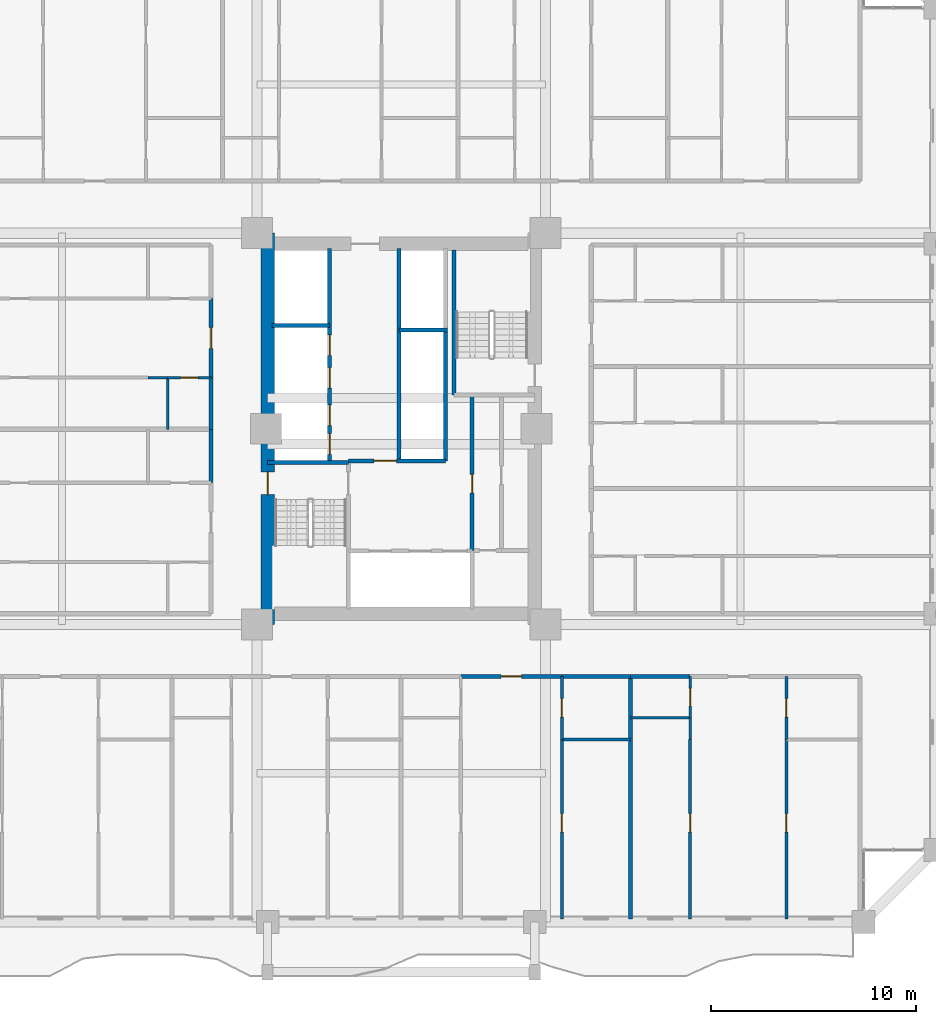
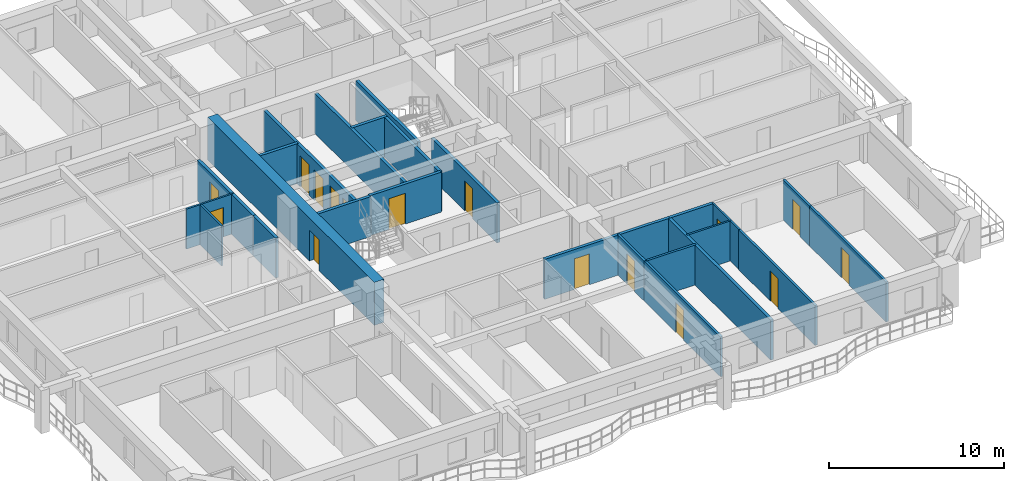
# One storey, part 16 of 27: 29 walls, 16 doors, 16 openings.
"""IFC4 building model written with IfcOpenShell, lengths in metres."""

from ifc_helpers import new_model, si_unit, direction, frame, frame_2d, origin, place, context, subcontext, project, spatial, rectangle, extrude, source, transform, mapped, material, layer, layer_set, type_object, element, fill, save


model = new_model("IFC4")

# Units and contexts
model_context = context("Model", 3, precision=1e-05, world=origin(), true_north=direction((0.0, 1.0)))
body_context = subcontext(model_context, "Body", "Model", "MODEL_VIEW")
ifc_project = project(units=[si_unit("LENGTHUNIT", "METRE"), si_unit("AREAUNIT", "SQUARE_METRE"), si_unit("VOLUMEUNIT", "CUBIC_METRE"), si_unit("PLANEANGLEUNIT", "RADIAN"), si_unit("MASSUNIT", "GRAM", prefix="KILO")], contexts=[model_context])

# Site, building, storey
site_placement = place(None, origin())
site = spatial("IfcSite", under=ifc_project, at=site_placement, CompositionType="ELEMENT")
building_placement = place(site_placement, origin())
building = spatial("IfcBuilding", under=site, at=building_placement, Name="Saelheon Loggia Tower", CompositionType="ELEMENT")
storey_placement = place(building_placement, frame((0.0, 0.0, 43.39990234375)))
storey = spatial("IfcBuildingStorey", under=building, at=storey_placement, Name="L13", CompositionType="ELEMENT", Elevation=43.39990234375)

# Wall, opening, door
ifc_material_1 = material(Name="Concrete C60/75", Category="concrete")
ifc_layer_1 = layer(ifc_material_1, 0.64990234375)
ifc_layer_set_1 = layer_set([ifc_layer_1], Name="Concrete C60/75")
wall_type_1 = type_object("IfcWallType", Name="Wall_CoreShear_650", PredefinedType="SHEAR", material=ifc_layer_set_1)
wall_1_placement = place(storey_placement, frame((31.5, 17.47998046875, 0.0), z_axis=(0.0, 0.0, 1.0), x_axis=(0.0, 1.0, 0.0)))
wall_1 = element("IfcWall", 1, at=wall_1_placement, inside=storey, type_object=wall_type_1, Name="L13 Core Shear Wall West", PredefinedType="SHEAR", context=body_context, shape_type="SweptSolid", body=[
    extrude(rectangle(XDim=19.0400390625, YDim=0.64990234375, at=frame_2d((9.52001953125, 0.0))), origin(), (0.0, 0.0, 1.0), 3.0),
])
opening_1_placement = place(wall_1_placement, frame((6.320068359375, 0.0, 0.0)))
opening_1 = element("IfcOpeningElement", 2, at=opening_1_placement, cuts=wall_1, Name="Opening D-FD2", PredefinedType="OPENING", context=body_context, shape_type="SweptSolid", body=[
    extrude(rectangle(XDim=1.10009765625, YDim=2.14990234375, at=frame_2d((0.550048828125, 1.074951171875))), frame((0.0, 0.3369140625, 0.0), z_axis=(0.0, -1.0, 0.0), x_axis=(1.0, 0.0, 0.0)), (0.0, 0.0, 1.0), 0.673828125),
])
ifc_material_2 = material(Name="Galvanised Steel Fire Door", Category="steel")
door_type_1 = type_object("IfcDoorType", Name="Door_Fire_FD60_1100", OperationType="NOTDEFINED", PredefinedType="DOOR", material=ifc_material_2)
shared_shape_1 = source(origin(), body_context, "Body", "SweptSolid", [
    extrude(rectangle(XDim=1.10009765625, YDim=2.14990234375, at=frame_2d((0.550048828125, 1.074951171875))), frame((0.0, 0.02490234375, 0.0), z_axis=(0.0, -1.0, 0.0), x_axis=(1.0, 0.0, 0.0)), (0.0, 0.0, 1.0), 0.050048828125),
])
door_1_placement = place(opening_1_placement, origin())
door_1 = element("IfcDoor", 3, at=door_1_placement, inside=storey, type_object=door_type_1, Name="L13 Stair ST1 Corridor Door", OperationType="SINGLE_SWING_LEFT", OverallHeight=2.14990234375, OverallWidth=1.10009765625, PredefinedType="DOOR", context=body_context, shape_type="MappedRepresentation", body=[
    mapped(shared_shape_1, transform((0.0, 0.0, 0.0), scale=1.0)),
])
fill(opening_1, door_1)

# Wall
ifc_material_3 = material(Name="Lightweight Autoclaved Aerated Concrete Block and Acoustic Gypsum", Category="concrete")
ifc_layer_2 = layer(ifc_material_3, 0.14990234375)
ifc_layer_set_2 = layer_set([ifc_layer_2], Name="Lightweight Autoclaved Aerated Concrete Block and Acoustic Gypsum")
wall_type_2 = type_object("IfcWallType", Name="Wall_Part_150", PredefinedType="PARTITIONING", material=ifc_layer_set_2)
wall_2_placement = place(storey_placement, frame((45.820068359375, 11.8798828125, 0.0), z_axis=(0.0, 0.0, 1.0), x_axis=(1.0, 0.0, 0.0)))
element("IfcWall", 4, at=wall_2_placement, inside=storey, type_object=wall_type_2, Name="L13 S Partition V29", PredefinedType="PARTITIONING", context=body_context, shape_type="SweptSolid", body=[
    extrude(rectangle(XDim=3.33984375, YDim=0.14990234375, at=frame_2d((1.669921875, 0.0))), origin(), (0.0, 0.0, 1.0), 2.7900390625),
])

# Wall, opening, door
wall_3_placement = place(storey_placement, frame((45.820068359375, 14.949951171875, 0.0), z_axis=(0.0, 0.0, 1.0), x_axis=(0.0, -1.0, 0.0)))
wall_3 = element("IfcWall", 5, at=wall_3_placement, inside=storey, type_object=wall_type_2, Name="L13 S Partition U33", PredefinedType="PARTITIONING", context=body_context, shape_type="SweptSolid", body=[
    extrude(rectangle(XDim=3.070068359375, YDim=0.14990234375, at=frame_2d((1.53515625, 0.0))), origin(), (0.0, 0.0, 1.0), 2.7900390625),
])
opening_2_placement = place(wall_3_placement, frame((1.0849609375, 0.0, 0.0)))
opening_2 = element("IfcOpeningElement", 6, at=opening_2_placement, cuts=wall_3, Name="Opening D-IN2", PredefinedType="OPENING", context=body_context, shape_type="SweptSolid", body=[
    extrude(rectangle(XDim=0.89990234375, YDim=2.10009765625, at=frame_2d((0.449951171875, 1.050048828125))), frame((0.0, 0.0869140625, 0.0), z_axis=(0.0, -1.0, 0.0), x_axis=(1.0, 0.0, 0.0)), (0.0, 0.0, 1.0), 0.173828125),
])
ifc_material_4 = material(Name="Engineered Oak Flush Door", Category="timber")
door_type_2 = type_object("IfcDoorType", Name="Door_Int_900", OperationType="NOTDEFINED", PredefinedType="DOOR", material=ifc_material_4)
shared_shape_2 = source(origin(), body_context, "Body", "SweptSolid", [
    extrude(rectangle(XDim=0.89990234375, YDim=2.10009765625, at=frame_2d((0.449951171875, 1.050048828125))), frame((0.0, 0.02490234375, 0.0), z_axis=(0.0, -1.0, 0.0), x_axis=(1.0, 0.0, 0.0)), (0.0, 0.0, 1.0), 0.050048828125),
])
door_2_placement = place(opening_2_placement, origin())
door_2 = element("IfcDoor", 7, at=door_2_placement, inside=storey, type_object=door_type_2, Name="Unit U03 Kitchen Door", OperationType="SINGLE_SWING_RIGHT", OverallHeight=2.10009765625, OverallWidth=0.89990234375, PredefinedType="DOOR", context=body_context, shape_type="MappedRepresentation", body=[
    mapped(shared_shape_2, transform((0.0, 0.0, 0.0), scale=1.0)),
])
fill(opening_2, door_2)

wall_4_placement = place(storey_placement, frame((45.820068359375, 11.8798828125, 0.0), z_axis=(0.0, 0.0, 1.0), x_axis=(0.0, -1.0, 0.0)))
wall_4 = element("IfcWall", 8, at=wall_4_placement, inside=storey, type_object=wall_type_2, Name="L13 S Partition U34", PredefinedType="PARTITIONING", context=body_context, shape_type="SweptSolid", body=[
    extrude(rectangle(XDim=8.72998046875, YDim=0.14990234375, at=frame_2d((4.364990234375, 0.0))), origin(), (0.0, 0.0, 1.0), 2.7900390625),
])
opening_3_placement = place(wall_4_placement, frame((3.608642578125, 0.0, 0.0)))
opening_3 = element("IfcOpeningElement", 9, at=opening_3_placement, cuts=wall_4, Name="Opening D-IN2", PredefinedType="OPENING", context=body_context, shape_type="SweptSolid", body=[
    extrude(rectangle(XDim=0.89990234375, YDim=2.10009765625, at=frame_2d((0.449951171875, 1.050048828125))), frame((0.0, 0.0869140625, 0.0), z_axis=(0.0, -1.0, 0.0), x_axis=(1.0, 0.0, 0.0)), (0.0, 0.0, 1.0), 0.173828125),
])
door_3_placement = place(opening_3_placement, origin())
door_3 = element("IfcDoor", 10, at=door_3_placement, inside=storey, type_object=door_type_2, Name="Unit U03 Bedroom 1 Door", OperationType="SINGLE_SWING_LEFT", OverallHeight=2.10009765625, OverallWidth=0.89990234375, PredefinedType="DOOR", context=body_context, shape_type="MappedRepresentation", body=[
    mapped(shared_shape_2, transform((0.0, 0.0, 0.0), scale=1.0)),
])
fill(opening_3, door_3)

wall_5_placement = place(storey_placement, frame((52.0615234375, 11.8798828125, 0.0), z_axis=(0.0, 0.0, 1.0), x_axis=(0.0, -1.0, 0.0)))
wall_5 = element("IfcWall", 11, at=wall_5_placement, inside=storey, type_object=wall_type_2, Name="L13 S Partition U43", PredefinedType="PARTITIONING", context=body_context, shape_type="SweptSolid", body=[
    extrude(rectangle(XDim=8.72998046875, YDim=0.14990234375, at=frame_2d((4.364990234375, 0.0))), origin(), (0.0, 0.0, 1.0), 2.7900390625),
])
opening_4_placement = place(wall_5_placement, frame((3.608642578125, 0.0, 0.0)))
opening_4 = element("IfcOpeningElement", 12, at=opening_4_placement, cuts=wall_5, Name="Opening D-IN2", PredefinedType="OPENING", context=body_context, shape_type="SweptSolid", body=[
    extrude(rectangle(XDim=0.89990234375, YDim=2.10009765625, at=frame_2d((0.449951171875, 1.050048828125))), frame((0.0, 0.0869140625, 0.0), z_axis=(0.0, -1.0, 0.0), x_axis=(1.0, 0.0, 0.0)), (0.0, 0.0, 1.0), 0.173828125),
])
door_4_placement = place(opening_4_placement, origin())
door_4 = element("IfcDoor", 13, at=door_4_placement, inside=storey, type_object=door_type_2, Name="Unit U04 Bedroom 2 Door", OperationType="SINGLE_SWING_RIGHT", OverallHeight=2.10009765625, OverallWidth=0.89990234375, PredefinedType="DOOR", context=body_context, shape_type="MappedRepresentation", body=[
    mapped(shared_shape_2, transform((0.0, 0.0, 0.0), scale=1.0)),
])
fill(opening_4, door_4)

wall_6_placement = place(storey_placement, frame((56.748779296875, 14.949951171875, 0.0), z_axis=(0.0, 0.0, 1.0), x_axis=(0.0, -1.0, 0.0)))
wall_6 = element("IfcWall", 14, at=wall_6_placement, inside=storey, type_object=wall_type_2, Name="L13 S Partition U44", PredefinedType="PARTITIONING", context=body_context, shape_type="SweptSolid", body=[
    extrude(rectangle(XDim=3.070068359375, YDim=0.14990234375, at=frame_2d((1.53515625, 0.0))), origin(), (0.0, 0.0, 1.0), 2.7900390625),
])
opening_5_placement = place(wall_6_placement, frame((1.0849609375, 0.0, 0.0)))
opening_5 = element("IfcOpeningElement", 15, at=opening_5_placement, cuts=wall_6, Name="Opening D-IN2", PredefinedType="OPENING", context=body_context, shape_type="SweptSolid", body=[
    extrude(rectangle(XDim=0.89990234375, YDim=2.10009765625, at=frame_2d((0.449951171875, 1.050048828125))), frame((0.0, 0.0869140625, 0.0), z_axis=(0.0, -1.0, 0.0), x_axis=(1.0, 0.0, 0.0)), (0.0, 0.0, 1.0), 0.173828125),
])
door_5_placement = place(opening_5_placement, origin())
door_5 = element("IfcDoor", 16, at=door_5_placement, inside=storey, type_object=door_type_2, Name="Unit U04 Kitchen Door", OperationType="SINGLE_SWING_LEFT", OverallHeight=2.10009765625, OverallWidth=0.89990234375, PredefinedType="DOOR", context=body_context, shape_type="MappedRepresentation", body=[
    mapped(shared_shape_2, transform((0.0, 0.0, 0.0), scale=1.0)),
])
fill(opening_5, door_5)

wall_7_placement = place(storey_placement, frame((56.748779296875, 11.8798828125, 0.0), z_axis=(0.0, 0.0, 1.0), x_axis=(0.0, -1.0, 0.0)))
wall_7 = element("IfcWall", 17, at=wall_7_placement, inside=storey, type_object=wall_type_2, Name="L13 S Partition U45", PredefinedType="PARTITIONING", context=body_context, shape_type="SweptSolid", body=[
    extrude(rectangle(XDim=8.72998046875, YDim=0.14990234375, at=frame_2d((4.364990234375, 0.0))), origin(), (0.0, 0.0, 1.0), 2.7900390625),
])
opening_6_placement = place(wall_7_placement, frame((3.608642578125, 0.0, 0.0)))
opening_6 = element("IfcOpeningElement", 18, at=opening_6_placement, cuts=wall_7, Name="Opening D-IN2", PredefinedType="OPENING", context=body_context, shape_type="SweptSolid", body=[
    extrude(rectangle(XDim=0.89990234375, YDim=2.10009765625, at=frame_2d((0.449951171875, 1.050048828125))), frame((0.0, 0.0869140625, 0.0), z_axis=(0.0, -1.0, 0.0), x_axis=(1.0, 0.0, 0.0)), (0.0, 0.0, 1.0), 0.173828125),
])
door_6_placement = place(opening_6_placement, origin())
door_6 = element("IfcDoor", 19, at=door_6_placement, inside=storey, type_object=door_type_2, Name="Unit U04 Bedroom 1 Door", OperationType="SINGLE_SWING_RIGHT", OverallHeight=2.10009765625, OverallWidth=0.89990234375, PredefinedType="DOOR", context=body_context, shape_type="MappedRepresentation", body=[
    mapped(shared_shape_2, transform((0.0, 0.0, 0.0), scale=1.0)),
])
fill(opening_6, door_6)

ifc_material_5 = material(Name="Double Acoustic Stud and Fireboard Partition", Category="gypsum")
ifc_layer_3 = layer(ifc_material_5, 0.199951171875)
ifc_layer_set_3 = layer_set([ifc_layer_3], Name="Double Acoustic Stud and Fireboard Partition")
wall_type_3 = type_object("IfcWallType", Name="Wall_Party_200", PredefinedType="PARTITIONING", material=ifc_layer_set_3)
wall_8_placement = place(storey_placement, frame((40.901611328125, 14.949951171875, 0.0), z_axis=(0.0, 0.0, 1.0), x_axis=(1.0, 0.0, 0.0)))
wall_8 = element("IfcWall", 20, at=wall_8_placement, inside=storey, type_object=wall_type_3, Name="L13 S Partition V26", PredefinedType="PARTITIONING", context=body_context, shape_type="SweptSolid", body=[
    extrude(rectangle(XDim=4.91845703125, YDim=0.199951171875, at=frame_2d((2.459228515625, 0.0))), origin(), (0.0, 0.0, 1.0), 2.7900390625),
])
opening_7_placement = place(wall_8_placement, frame((1.959228515625, 0.0, 0.0)))
opening_7 = element("IfcOpeningElement", 21, at=opening_7_placement, cuts=wall_8, Name="Opening D-FD1", PredefinedType="OPENING", context=body_context, shape_type="SweptSolid", body=[
    extrude(rectangle(XDim=1.0, YDim=2.14990234375, at=frame_2d((0.5, 1.074951171875))), frame((0.0, 0.112060546875, 0.0), z_axis=(0.0, -1.0, 0.0), x_axis=(1.0, 0.0, 0.0)), (0.0, 0.0, 1.0), 0.223876953125),
])
ifc_material_6 = material(Name="Fire-Rated Engineered Timber Entrance Door", Category="wood")
door_type_3 = type_object("IfcDoorType", Name="Door_Flat_FD30S", OperationType="NOTDEFINED", PredefinedType="DOOR", material=ifc_material_6)
shared_shape_3 = source(origin(), body_context, "Body", "SweptSolid", [
    extrude(rectangle(XDim=1.0, YDim=2.14990234375, at=frame_2d((0.5, 1.074951171875))), frame((0.0, 0.02490234375, 0.0), z_axis=(0.0, -1.0, 0.0), x_axis=(1.0, 0.0, 0.0)), (0.0, 0.0, 1.0), 0.050048828125),
])
door_7_placement = place(opening_7_placement, origin())
door_7 = element("IfcDoor", 22, at=door_7_placement, inside=storey, type_object=door_type_3, Name="Unit U03 Entrance Door", OperationType="SINGLE_SWING_LEFT", OverallHeight=2.14990234375, OverallWidth=1.0, PredefinedType="DOOR", context=body_context, shape_type="MappedRepresentation", body=[
    mapped(shared_shape_3, transform((0.0, 0.0, 0.0), scale=1.0)),
])
fill(opening_7, door_7)

# Walls
wall_9_placement = place(storey_placement, frame((45.820068359375, 14.949951171875, 0.0), z_axis=(0.0, 0.0, 1.0), x_axis=(1.0, 0.0, 0.0)))
element("IfcWall", 23, at=wall_9_placement, inside=storey, type_object=wall_type_3, Name="L13 S Partition V27", PredefinedType="PARTITIONING", context=body_context, shape_type="SweptSolid", body=[
    extrude(rectangle(XDim=3.33984375, YDim=0.199951171875, at=frame_2d((1.669921875, 0.0))), origin(), (0.0, 0.0, 1.0), 2.7900390625),
])
wall_10_placement = place(storey_placement, frame((49.159912109375, 14.949951171875, 0.0), z_axis=(0.0, 0.0, 1.0), x_axis=(0.0, -1.0, 0.0)))
element("IfcWall", 24, at=wall_10_placement, inside=storey, type_object=wall_type_3, Name="L13 S Partition U35", PredefinedType="PARTITIONING", context=body_context, shape_type="SweptSolid", body=[
    extrude(rectangle(XDim=11.800048828125, YDim=0.199951171875, at=frame_2d((5.89990234375, 0.0))), origin(), (0.0, 0.0, 1.0), 2.7900390625),
])
wall_11_placement = place(storey_placement, frame((49.159912109375, 14.949951171875, 0.0), z_axis=(0.0, 0.0, 1.0), x_axis=(1.0, 0.0, 0.0)))
element("IfcWall", 25, at=wall_11_placement, inside=storey, type_object=wall_type_3, Name="L13 S Partition V36", PredefinedType="PARTITIONING", context=body_context, shape_type="SweptSolid", body=[
    extrude(rectangle(XDim=2.901611328125, YDim=0.199951171875, at=frame_2d((1.45068359375, 0.0))), origin(), (0.0, 0.0, 1.0), 2.7900390625),
])
wall_12_placement = place(storey_placement, frame((28.75, 24.375, 0.0), z_axis=(0.0, 0.0, 1.0), x_axis=(0.0, 1.0, 0.0)))
element("IfcWall", 26, at=wall_12_placement, inside=storey, type_object=wall_type_3, Name="L13 W Partition V05", PredefinedType="PARTITIONING", context=body_context, shape_type="SweptSolid", body=[
    extrude(rectangle(XDim=2.60009765625, YDim=0.199951171875, at=frame_2d((1.300048828125, 0.0))), origin(), (0.0, 0.0, 1.0), 2.7900390625),
])
wall_13_placement = place(storey_placement, frame((28.75, 26.97509765625, 0.0), z_axis=(0.0, 0.0, 1.0), x_axis=(0.0, 1.0, 0.0)))
element("IfcWall", 27, at=wall_13_placement, inside=storey, type_object=wall_type_3, Name="L13 W Partition V14", PredefinedType="PARTITIONING", context=body_context, shape_type="SweptSolid", body=[
    extrude(rectangle(XDim=2.512939453125, YDim=0.199951171875, at=frame_2d((1.25634765625, 0.0))), origin(), (0.0, 0.0, 1.0), 2.7900390625),
])

# Wall, opening, door
wall_14_placement = place(storey_placement, frame((28.75, 29.488037109375, 0.0), z_axis=(0.0, 0.0, 1.0), x_axis=(0.0, 1.0, 0.0)))
wall_14 = element("IfcWall", 28, at=wall_14_placement, inside=storey, type_object=wall_type_3, Name="L13 W Partition V15", PredefinedType="PARTITIONING", context=body_context, shape_type="SweptSolid", body=[
    extrude(rectangle(XDim=3.862060546875, YDim=0.199951171875, at=frame_2d((1.93115234375, 0.0))), origin(), (0.0, 0.0, 1.0), 2.7900390625),
])
opening_8_placement = place(wall_14_placement, frame((1.430908203125, 0.0, 0.0)))
opening_8 = element("IfcOpeningElement", 29, at=opening_8_placement, cuts=wall_14, Name="Opening D-FD1", PredefinedType="OPENING", context=body_context, shape_type="SweptSolid", body=[
    extrude(rectangle(XDim=1.0, YDim=2.14990234375, at=frame_2d((0.5, 1.074951171875))), frame((0.0, 0.112060546875, 0.0), z_axis=(0.0, -1.0, 0.0), x_axis=(1.0, 0.0, 0.0)), (0.0, 0.0, 1.0), 0.223876953125),
])
door_8_placement = place(opening_8_placement, origin())
door_8 = element("IfcDoor", 30, at=door_8_placement, inside=storey, type_object=door_type_3, Name="Unit U10 Entrance Door", OperationType="SINGLE_SWING_LEFT", OverallHeight=2.14990234375, OverallWidth=1.0, PredefinedType="DOOR", context=body_context, shape_type="MappedRepresentation", body=[
    mapped(shared_shape_3, transform((0.0, 0.0, 0.0), scale=1.0)),
])
fill(opening_8, door_8)

ifc_material_7 = material(Name="Concrete C40/50", Category="concrete")
ifc_layer_4 = layer(ifc_material_7, 0.199951171875)
ifc_layer_set_4 = layer_set([ifc_layer_4], Name="Concrete C40/50")
wall_type_4 = type_object("IfcWallType", Name="Wall_Shaft_200", PredefinedType="PARTITIONING", material=ifc_layer_set_4)
wall_15_placement = place(storey_placement, frame((41.449951171875, 21.080078125, 0.0), z_axis=(0.0, 0.0, 1.0), x_axis=(0.0, 1.0, 0.0)))
wall_15 = element("IfcWall", 31, at=wall_15_placement, inside=storey, type_object=wall_type_4, Name="CW-INT-L13-BOH-W1", PredefinedType="PARTITIONING", context=body_context, shape_type="SweptSolid", body=[
    extrude(rectangle(XDim=7.52001953125, YDim=0.199951171875, at=frame_2d((3.760009765625, 0.0))), origin(), (0.0, 0.0, 1.0), 2.7900390625),
])
opening_9_placement = place(wall_15_placement, frame((2.800048828125, 0.0, 0.0)))
opening_9 = element("IfcOpeningElement", 32, at=opening_9_placement, cuts=wall_15, Name="Opening D-RS1", PredefinedType="OPENING", context=body_context, shape_type="SweptSolid", body=[
    extrude(rectangle(XDim=0.89990234375, YDim=2.10009765625, at=frame_2d((0.449951171875, 1.050048828125))), frame((0.0, 0.112060546875, 0.0), z_axis=(0.0, -1.0, 0.0), x_axis=(1.0, 0.0, 0.0)), (0.0, 0.0, 1.0), 0.223876953125),
])
ifc_material_8 = material(Name="Galvanised Steel Riser Access Door", Category="steel")
door_type_4 = type_object("IfcDoorType", Name="Door_Riser_FD60", OperationType="NOTDEFINED", PredefinedType="DOOR", material=ifc_material_8)
door_9_placement = place(opening_9_placement, origin())
door_9 = element("IfcDoor", 33, at=door_9_placement, inside=storey, type_object=door_type_4, Name="L13 Service Store Door", OperationType="SINGLE_SWING_RIGHT", OverallHeight=2.10009765625, OverallWidth=0.89990234375, PredefinedType="DOOR", context=body_context, shape_type="MappedRepresentation", body=[
    mapped(shared_shape_2, transform((0.0, 0.0, 0.0), scale=1.0)),
])
fill(opening_9, door_9)

# Wall
wall_16_placement = place(storey_placement, frame((40.14990234375, 25.43994140625, 0.0), z_axis=(0.0, 0.0, 1.0), x_axis=(0.0, 1.0, 0.0)))
element("IfcWall", 34, at=wall_16_placement, inside=storey, type_object=wall_type_4, Name="L13 Core Service Passage West Wall", PredefinedType="PARTITIONING", context=body_context, shape_type="SweptSolid", body=[
    extrude(rectangle(XDim=6.360107421875, YDim=0.199951171875, at=frame_2d((3.18017578125, 0.0))), origin(), (0.0, 0.0, 1.0), 2.7900390625),
])

# Wall, opening, door
wall_17_placement = place(storey_placement, frame((35.429931640625, 25.43994140625, 0.0), z_axis=(0.0, 0.0, 1.0), x_axis=(1.0, 0.0, 0.0)))
wall_17 = element("IfcWall", 35, at=wall_17_placement, inside=storey, type_object=wall_type_4, Name="L13 Firefighting Lobby Compartment Wall", PredefinedType="PARTITIONING", context=body_context, shape_type="SweptSolid", body=[
    extrude(rectangle(XDim=4.719970703125, YDim=0.199951171875, at=frame_2d((2.35986328125, 0.0))), origin(), (0.0, 0.0, 1.0), 2.7900390625),
])
opening_10_placement = place(wall_17_placement, frame((1.25, 0.0, 0.0)))
opening_10 = element("IfcOpeningElement", 36, at=opening_10_placement, cuts=wall_17, Name="Opening D-FD2", PredefinedType="OPENING", context=body_context, shape_type="SweptSolid", body=[
    extrude(rectangle(XDim=1.10009765625, YDim=2.14990234375, at=frame_2d((0.550048828125, 1.074951171875))), frame((0.0, 0.112060546875, 0.0), z_axis=(0.0, -1.0, 0.0), x_axis=(1.0, 0.0, 0.0)), (0.0, 0.0, 1.0), 0.223876953125),
])
door_10_placement = place(opening_10_placement, origin())
door_10 = element("IfcDoor", 37, at=door_10_placement, inside=storey, type_object=door_type_1, Name="L13 Firefighting Lobby Door", OperationType="SINGLE_SWING_LEFT", OverallHeight=2.14990234375, OverallWidth=1.10009765625, PredefinedType="DOOR", context=body_context, shape_type="MappedRepresentation", body=[
    mapped(shared_shape_1, transform((0.0, 0.0, 0.0), scale=1.0)),
])
fill(opening_10, door_10)

# Wall, openings, doors
wall_18_placement = place(storey_placement, frame((34.52001953125, 25.43994140625, 0.0), z_axis=(0.0, 0.0, 1.0), x_axis=(0.0, 1.0, 0.0)))
wall_18 = element("IfcWall", 38, at=wall_18_placement, inside=storey, type_object=wall_type_4, Name="L13 West Passenger Lift Bank Wall", PredefinedType="PARTITIONING", context=body_context, shape_type="SweptSolid", body=[
    extrude(rectangle(XDim=10.340087890625, YDim=0.199951171875, at=frame_2d((5.169921875, 0.0))), origin(), (0.0, 0.0, 1.0), 2.7900390625),
])
opening_11_placement = place(wall_18_placement, frame((0.320068359375, 0.0, 0.0)))
opening_11 = element("IfcOpeningElement", 39, at=opening_11_placement, cuts=wall_18, Name="Opening LD1", PredefinedType="OPENING", context=body_context, shape_type="SweptSolid", body=[
    extrude(rectangle(XDim=1.0, YDim=2.14990234375, at=frame_2d((0.5, 1.074951171875))), frame((0.0, 0.112060546875, 0.0), z_axis=(0.0, -1.0, 0.0), x_axis=(1.0, 0.0, 0.0)), (0.0, 0.0, 1.0), 0.223876953125),
])
opening_12_placement = place(wall_18_placement, frame((1.7099609375, 0.0, 0.0)))
opening_12 = element("IfcOpeningElement", 40, at=opening_12_placement, cuts=wall_18, Name="Opening LD1", PredefinedType="OPENING", context=body_context, shape_type="SweptSolid", body=[
    extrude(rectangle(XDim=1.0, YDim=2.14990234375, at=frame_2d((0.5, 1.074951171875))), frame((0.0, 0.112060546875, 0.0), z_axis=(0.0, -1.0, 0.0), x_axis=(1.0, 0.0, 0.0)), (0.0, 0.0, 1.0), 0.223876953125),
])
opening_13_placement = place(wall_18_placement, frame((3.534912109375, 0.0, 0.0)))
opening_13 = element("IfcOpeningElement", 41, at=opening_13_placement, cuts=wall_18, Name="Opening LD1", PredefinedType="OPENING", context=body_context, shape_type="SweptSolid", body=[
    extrude(rectangle(XDim=1.0, YDim=2.14990234375, at=frame_2d((0.5, 1.074951171875))), frame((0.0, 0.112060546875, 0.0), z_axis=(0.0, -1.0, 0.0), x_axis=(1.0, 0.0, 0.0)), (0.0, 0.0, 1.0), 0.223876953125),
])
opening_14_placement = place(wall_18_placement, frame((5.135009765625, 0.0, 0.0)))
opening_14 = element("IfcOpeningElement", 42, at=opening_14_placement, cuts=wall_18, Name="Opening LD1", PredefinedType="OPENING", context=body_context, shape_type="SweptSolid", body=[
    extrude(rectangle(XDim=1.0, YDim=2.14990234375, at=frame_2d((0.5, 1.074951171875))), frame((0.0, 0.112060546875, 0.0), z_axis=(0.0, -1.0, 0.0), x_axis=(1.0, 0.0, 0.0)), (0.0, 0.0, 1.0), 0.223876953125),
])
ifc_material_9 = material(Name="Brushed Stainless Steel 304 Landing Door", Category="steel")
door_type_5 = type_object("IfcDoorType", Name="Door_Lift_LD1", OperationType="DOUBLE_DOOR_SLIDING", PredefinedType="DOOR", material=ifc_material_9)
door_11_placement = place(opening_11_placement, origin())
door_11 = element("IfcDoor", 43, at=door_11_placement, inside=storey, type_object=door_type_5, Name="L13 PL1 Landing Door", OperationType="DOUBLE_DOOR_SLIDING", OverallHeight=2.14990234375, OverallWidth=1.0, PredefinedType="DOOR", context=body_context, shape_type="MappedRepresentation", body=[
    mapped(shared_shape_3, transform((0.0, 0.0, 0.0), scale=1.0)),
])
fill(opening_11, door_11)
door_12_placement = place(opening_12_placement, origin())
door_12 = element("IfcDoor", 44, at=door_12_placement, inside=storey, type_object=door_type_5, Name="L13 PL2 Landing Door", OperationType="DOUBLE_DOOR_SLIDING", OverallHeight=2.14990234375, OverallWidth=1.0, PredefinedType="DOOR", context=body_context, shape_type="MappedRepresentation", body=[
    mapped(shared_shape_3, transform((0.0, 0.0, 0.0), scale=1.0)),
])
fill(opening_12, door_12)
door_13_placement = place(opening_13_placement, origin())
door_13 = element("IfcDoor", 45, at=door_13_placement, inside=storey, type_object=door_type_5, Name="L13 PL3 Landing Door", OperationType="DOUBLE_DOOR_SLIDING", OverallHeight=2.14990234375, OverallWidth=1.0, PredefinedType="DOOR", context=body_context, shape_type="MappedRepresentation", body=[
    mapped(shared_shape_3, transform((0.0, 0.0, 0.0), scale=1.0)),
])
fill(opening_13, door_13)
door_14_placement = place(opening_14_placement, origin())
door_14 = element("IfcDoor", 46, at=door_14_placement, inside=storey, type_object=door_type_5, Name="L13 PL4 Landing Door", OperationType="DOUBLE_DOOR_SLIDING", OverallHeight=2.14990234375, OverallWidth=1.0, PredefinedType="DOOR", context=body_context, shape_type="MappedRepresentation", body=[
    mapped(shared_shape_3, transform((0.0, 0.0, 0.0), scale=1.0)),
])
fill(opening_14, door_14)

# Walls
wall_19_placement = place(storey_placement, frame((31.719970703125, 32.02001953125, 0.0), z_axis=(0.0, 0.0, 1.0), x_axis=(1.0, 0.0, 0.0)))
element("IfcWall", 47, at=wall_19_placement, inside=storey, type_object=wall_type_4, Name="L13 West High-Rise Shaft Divider", PredefinedType="PARTITIONING", context=body_context, shape_type="SweptSolid", body=[
    extrude(rectangle(XDim=2.800048828125, YDim=0.199951171875, at=frame_2d((1.39990234375, 0.0))), origin(), (0.0, 0.0, 1.0), 2.7900390625),
])
wall_20_placement = place(storey_placement, frame((37.89990234375, 25.43994140625, 0.0), z_axis=(0.0, 0.0, 1.0), x_axis=(0.0, 1.0, 0.0)))
element("IfcWall", 48, at=wall_20_placement, inside=storey, type_object=wall_type_4, Name="L13 East Passenger Lift Bank Wall", PredefinedType="PARTITIONING", context=body_context, shape_type="SweptSolid", body=[
    extrude(rectangle(XDim=10.340087890625, YDim=0.199951171875, at=frame_2d((5.169921875, 0.0))), origin(), (0.0, 0.0, 1.0), 2.7900390625),
])
wall_21_placement = place(storey_placement, frame((37.89990234375, 31.800048828125, 0.0), z_axis=(0.0, 0.0, 1.0), x_axis=(1.0, 0.0, 0.0)))
element("IfcWall", 49, at=wall_21_placement, inside=storey, type_object=wall_type_4, Name="L13 East High-Rise Shaft Divider", PredefinedType="PARTITIONING", context=body_context, shape_type="SweptSolid", body=[
    extrude(rectangle(XDim=2.35009765625, YDim=0.199951171875, at=frame_2d((1.175048828125, 0.0))), origin(), (0.0, 0.0, 1.0), 2.7900390625),
])
ifc_material_10 = material(Name="Concrete C45/55", Category="concrete")
ifc_layer_5 = layer(ifc_material_10, 0.199951171875)
ifc_layer_set_5 = layer_set([ifc_layer_5], Name="Concrete C45/55")
wall_type_5 = type_object("IfcWallType", Name="Wall_StairShaft_RC200", PredefinedType="SOLIDWALL", material=ifc_layer_set_5)
wall_22_placement = place(storey_placement, frame((31.5, 25.35009765625, 0.0), z_axis=(0.0, 0.0, 1.0), x_axis=(1.0, 0.0, 0.0)))
element("IfcWall", 50, at=wall_22_placement, inside=storey, type_object=wall_type_5, Name="L13 Stair ST1 North Wall", PredefinedType="SOLIDWALL", context=body_context, shape_type="SweptSolid", body=[
    extrude(rectangle(XDim=3.929931640625, YDim=0.199951171875, at=frame_2d((1.96484375, 0.0))), origin(), (0.0, 0.0, 1.0), 2.7900390625),
])
wall_23_placement = place(storey_placement, frame((40.570068359375, 28.64990234375, 0.0), z_axis=(0.0, 0.0, 1.0), x_axis=(0.0, 1.0, 0.0)))
element("IfcWall", 51, at=wall_23_placement, inside=storey, type_object=wall_type_5, Name="L13 Stair ST2 Shaft Wall", PredefinedType="SOLIDWALL", context=body_context, shape_type="SweptSolid", body=[
    extrude(rectangle(XDim=7.050048828125, YDim=0.199951171875, at=frame_2d((3.52490234375, 0.0))), origin(), (0.0, 0.0, 1.0), 2.7900390625),
])
ifc_material_11 = material(Name="Moisture-Resistant Cement Board Partition", Category="gypsum")
ifc_layer_6 = layer(ifc_material_11, 0.1201171875)
ifc_layer_set_6 = layer_set([ifc_layer_6], Name="Moisture-Resistant Cement Board Partition")
wall_type_6 = type_object("IfcWallType", Name="Wall_WetPart_120", PredefinedType="PARTITIONING", material=ifc_layer_set_6)
wall_24_placement = place(storey_placement, frame((49.159912109375, 12.929931640625, 0.0), z_axis=(0.0, 0.0, 1.0), x_axis=(1.0, 0.0, 0.0)))
element("IfcWall", 52, at=wall_24_placement, inside=storey, type_object=wall_type_6, Name="L13 S Partition V39", PredefinedType="PARTITIONING", context=body_context, shape_type="SweptSolid", body=[
    extrude(rectangle(XDim=2.901611328125, YDim=0.1201171875, at=frame_2d((1.45068359375, 0.0))), origin(), (0.0, 0.0, 1.0), 2.7900390625),
])

# Wall, opening, door
wall_25_placement = place(storey_placement, frame((52.0615234375, 14.949951171875, 0.0), z_axis=(0.0, 0.0, 1.0), x_axis=(0.0, -1.0, 0.0)))
wall_25 = element("IfcWall", 53, at=wall_25_placement, inside=storey, type_object=wall_type_6, Name="L13 S Partition U41", PredefinedType="PARTITIONING", context=body_context, shape_type="SweptSolid", body=[
    extrude(rectangle(XDim=2.02001953125, YDim=0.1201171875, at=frame_2d((1.010009765625, 0.0))), origin(), (0.0, 0.0, 1.0), 2.7900390625),
])
opening_15_placement = place(wall_25_placement, frame((0.5849609375, 0.0, 0.0)))
opening_15 = element("IfcOpeningElement", 54, at=opening_15_placement, cuts=wall_25, Name="Opening D-BT1", PredefinedType="OPENING", context=body_context, shape_type="SweptSolid", body=[
    extrude(rectangle(XDim=0.85009765625, YDim=2.050048828125, at=frame_2d((0.425048828125, 1.02490234375))), frame((0.0, 0.072021484375, 0.0), z_axis=(0.0, -1.0, 0.0), x_axis=(1.0, 0.0, 0.0)), (0.0, 0.0, 1.0), 0.14404296875),
])
ifc_material_12 = material(Name="Moisture-Resistant Laminate Timber Door", Category="wood")
door_type_6 = type_object("IfcDoorType", Name="Door_Bath_850", OperationType="NOTDEFINED", PredefinedType="DOOR", material=ifc_material_12)
shared_shape_4 = source(origin(), body_context, "Body", "SweptSolid", [
    extrude(rectangle(XDim=0.85009765625, YDim=2.050048828125, at=frame_2d((0.425048828125, 1.02490234375))), frame((0.0, 0.02490234375, 0.0), z_axis=(0.0, -1.0, 0.0), x_axis=(1.0, 0.0, 0.0)), (0.0, 0.0, 1.0), 0.050048828125),
])
door_15_placement = place(opening_15_placement, origin())
door_15 = element("IfcDoor", 55, at=door_15_placement, inside=storey, type_object=door_type_6, Name="Unit U04 Bathroom Door", OperationType="SINGLE_SWING_LEFT", OverallHeight=2.050048828125, OverallWidth=0.85009765625, PredefinedType="DOOR", context=body_context, shape_type="MappedRepresentation", body=[
    mapped(shared_shape_4, transform((0.0, 0.0, 0.0), scale=1.0)),
])
fill(opening_15, door_15)

# Walls
wall_26_placement = place(storey_placement, frame((52.0615234375, 12.929931640625, 0.0), z_axis=(0.0, 0.0, 1.0), x_axis=(0.0, -1.0, 0.0)))
element("IfcWall", 56, at=wall_26_placement, inside=storey, type_object=wall_type_6, Name="L13 S Partition U42", PredefinedType="PARTITIONING", context=body_context, shape_type="SweptSolid", body=[
    extrude(rectangle(XDim=1.050048828125, YDim=0.1201171875, at=frame_2d((0.52490234375, 0.0))), origin(), (0.0, 0.0, 1.0), 2.7900390625),
])
wall_27_placement = place(storey_placement, frame((26.6298828125, 26.97509765625, 0.0), z_axis=(0.0, 0.0, 1.0), x_axis=(0.0, 1.0, 0.0)))
element("IfcWall", 57, at=wall_27_placement, inside=storey, type_object=wall_type_6, Name="L13 W Partition V17", PredefinedType="PARTITIONING", context=body_context, shape_type="SweptSolid", body=[
    extrude(rectangle(XDim=2.512939453125, YDim=0.1201171875, at=frame_2d((1.25634765625, 0.0))), origin(), (0.0, 0.0, 1.0), 2.7900390625),
])

# Wall, opening, door
wall_28_placement = place(storey_placement, frame((28.75, 29.488037109375, 0.0), z_axis=(0.0, 0.0, 1.0), x_axis=(-1.0, 0.0, 0.0)))
wall_28 = element("IfcWall", 58, at=wall_28_placement, inside=storey, type_object=wall_type_6, Name="L13 W Partition U19", PredefinedType="PARTITIONING", context=body_context, shape_type="SweptSolid", body=[
    extrude(rectangle(XDim=2.1201171875, YDim=0.1201171875, at=frame_2d((1.06005859375, 0.0))), origin(), (0.0, 0.0, 1.0), 2.7900390625),
])
opening_16_placement = place(wall_28_placement, frame((0.635009765625, 0.0, 0.0)))
opening_16 = element("IfcOpeningElement", 59, at=opening_16_placement, cuts=wall_28, Name="Opening D-BT1", PredefinedType="OPENING", context=body_context, shape_type="SweptSolid", body=[
    extrude(rectangle(XDim=0.85009765625, YDim=2.050048828125, at=frame_2d((0.425048828125, 1.02490234375))), frame((0.0, 0.072021484375, 0.0), z_axis=(0.0, -1.0, 0.0), x_axis=(1.0, 0.0, 0.0)), (0.0, 0.0, 1.0), 0.14404296875),
])
door_16_placement = place(opening_16_placement, origin())
door_16 = element("IfcDoor", 60, at=door_16_placement, inside=storey, type_object=door_type_6, Name="Unit U10 Bathroom Door", OperationType="SINGLE_SWING_RIGHT", OverallHeight=2.050048828125, OverallWidth=0.85009765625, PredefinedType="DOOR", context=body_context, shape_type="MappedRepresentation", body=[
    mapped(shared_shape_4, transform((0.0, 0.0, 0.0), scale=1.0)),
])
fill(opening_16, door_16)

# Wall
wall_29_placement = place(storey_placement, frame((26.6298828125, 29.488037109375, 0.0), z_axis=(0.0, 0.0, 1.0), x_axis=(-1.0, 0.0, 0.0)))
element("IfcWall", 61, at=wall_29_placement, inside=storey, type_object=wall_type_6, Name="L13 W Partition U20", PredefinedType="PARTITIONING", context=body_context, shape_type="SweptSolid", body=[
    extrude(rectangle(XDim=0.949951171875, YDim=0.1201171875, at=frame_2d((0.47509765625, 0.0))), origin(), (0.0, 0.0, 1.0), 2.7900390625),
])

save(model, "model.ifc")
